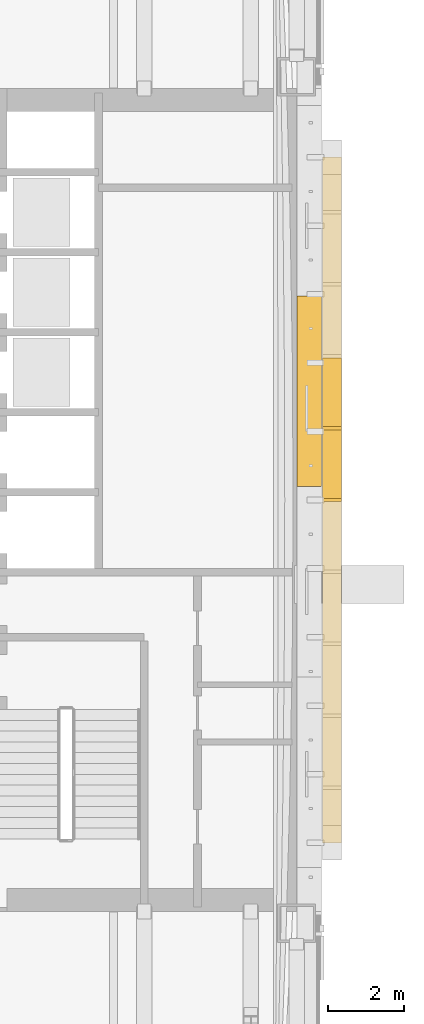
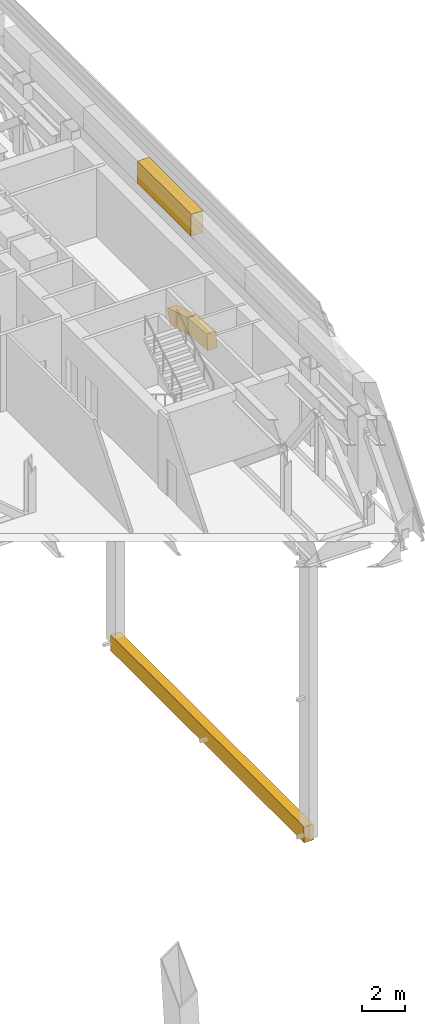
# One storey, part 32 of 39: 4 coverings.
"""IFC4 building model written with IfcOpenShell, lengths in metres."""

from ifc_helpers import new_model, si_unit, direction, frame, origin, origin_2d, place, context, subcontext, project, spatial, polyline, rectangle, outline, extrude, material, material_profile, profile_set, type_object, element, save


model = new_model("IFC4")

# Units and contexts
model_context = context("Model", 3, precision=1e-05, world=origin(), true_north=direction((0.0, 1.0)))
body_context = subcontext(model_context, "Body", "Model", "MODEL_VIEW")
ifc_project = project(units=[si_unit("LENGTHUNIT", "METRE"), si_unit("AREAUNIT", "SQUARE_METRE"), si_unit("VOLUMEUNIT", "CUBIC_METRE"), si_unit("PLANEANGLEUNIT", "RADIAN"), si_unit("MASSUNIT", "GRAM", prefix="KILO")], contexts=[model_context])

# Site, building, storey
site_placement = place(None, origin())
site = spatial("IfcSite", under=ifc_project, at=site_placement, CompositionType="ELEMENT")
building_placement = place(site_placement, origin())
building = spatial("IfcBuilding", under=site, at=building_placement, Name="Cobrizo Arcos Hotel Tower", CompositionType="ELEMENT")
storey_placement = place(building_placement, frame((0.0, 0.0, 84.5)))
storey = spatial("IfcBuildingStorey", under=building, at=storey_placement, Name="L20", CompositionType="ELEMENT", Elevation=84.5)

# Coverings
ifc_material = material(Name="Aluminium 6063-T6 anodised pale", Category="aluminium")
ifc_material_profile = material_profile(ifc_material, rectangle(XDim=0.5, YDim=0.89990234375, at=origin_2d()), Name="AF-2 core arch rim 500x900")
ifc_profile_set = profile_set([ifc_material_profile], Name="Aluminium 6063-T6 anodised pale")
covering_type_1 = type_object("IfcCoveringType", Name="AF-2 core arch rim 500x900", PredefinedType="CLADDING", material=ifc_profile_set)
covering_1_placement = place(storey_placement, frame((24.925048828125, 0.0, -1.5400390625), z_axis=(0.0, 0.995278769418, -0.097057566148), x_axis=(-1.0, 0.0, 0.0)))
element("IfcCovering", 1, at=covering_1_placement, inside=storey, type_object=covering_type_1, Name="Arch rim A E face", PredefinedType="CLADDING", context=body_context, shape_type="SweptSolid", body=[
    extrude(rectangle(XDim=0.5, YDim=0.89990234375, at=origin_2d()), origin(), (0.0, 0.0, 1.0), 1.80859375),
])
covering_2_placement = place(storey_placement, frame((24.925048828125, 1.800048828125, -1.715576171875), z_axis=(0.0, 0.956599999026, -0.291404258485), x_axis=(-1.0, 0.0, 0.0)))
element("IfcCovering", 2, at=covering_2_placement, inside=storey, type_object=covering_type_1, Name="Arch rim A E face", PredefinedType="CLADDING", context=body_context, shape_type="SweptSolid", body=[
    extrude(rectangle(XDim=0.5, YDim=0.89990234375, at=origin_2d()), origin(), (0.0, 0.0, 1.0), 1.8818359375),
])
covering_3_placement = place(storey_placement, frame((24.925048828125, -9.0, -24.050048828125), z_axis=(0.0, 1.0, 0.0), x_axis=(-1.0, 0.0, 0.0)))
element("IfcCovering", 3, at=covering_3_placement, inside=storey, type_object=covering_type_1, Name="Arch rim A E face", PredefinedType="CLADDING", context=body_context, shape_type="SweptSolid", body=[
    extrude(rectangle(XDim=0.5, YDim=0.89990234375, at=origin_2d()), origin(), (0.0, 0.0, 1.0), 18.0),
])
covering_type_2 = type_object("IfcCoveringType", Name="LF-1 setback skirt", PredefinedType="CLADDING", material=ifc_material)
covering_4_placement = place(storey_placement, frame((0.0, 0.0, 4.5)))
element("IfcCovering", 4, at=covering_4_placement, inside=storey, type_object=covering_type_2, Name="Setback skirt L20", PredefinedType="CLADDING", context=body_context, shape_type="SweptSolid", body=[
    extrude(outline(polyline([(24.64990234375, 0.35009765625), (24.64990234375, 5.35009765625), (24.010009765625, 5.35009765625), (24.010009765625, 0.35009765625), (24.64990234375, 0.35009765625)])), origin(), (0.0, 0.0, 1.0), 1.25),
])

save(model, "model.ifc")
